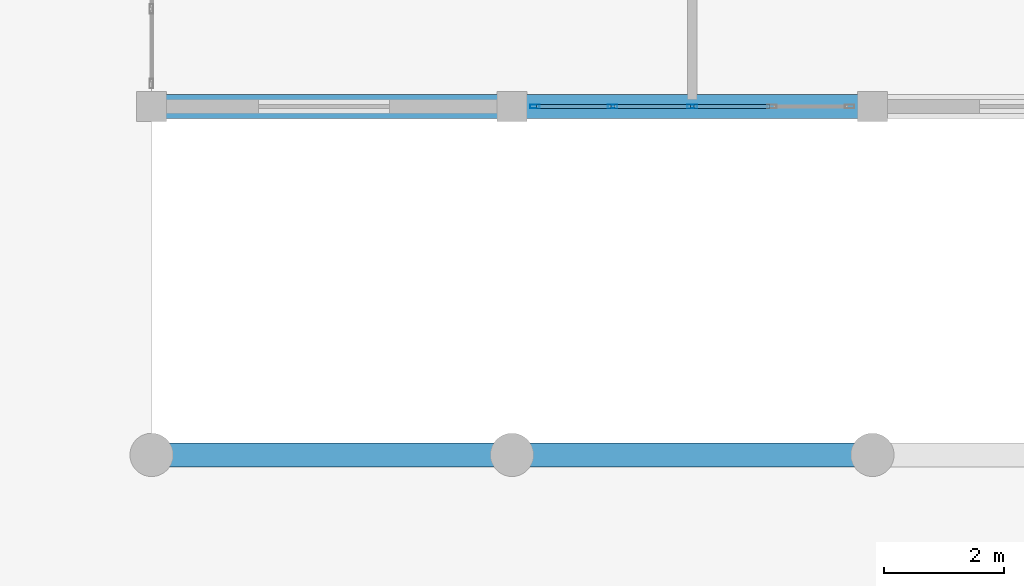
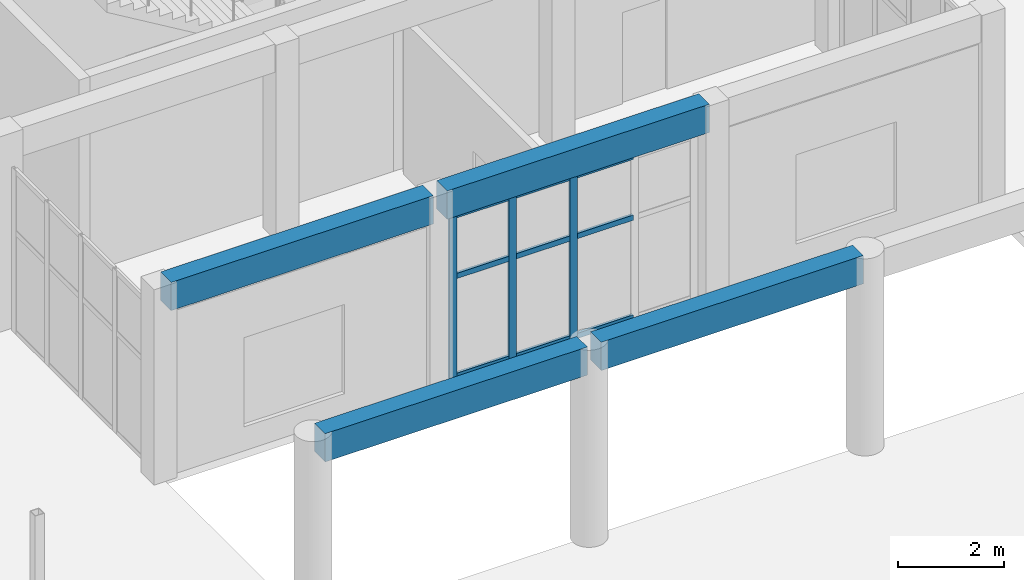
# One storey, part 21 of 132: 12 members, 4 beams, 1 element without a shape of its own.
"""IFC4 building model written with IfcOpenShell, lengths in metres."""

from ifc_helpers import new_model, si_unit, direction, frame, origin, origin_2d, place, context, subcontext, project, spatial, rectangle, hollow_rectangle, extrude, material, material_profile, profile_set, type_object, element, aggregate, save


model = new_model("IFC4")

# Units and contexts
model_context = context("Model", 3, precision=1e-05, world=origin(), true_north=direction((0.0, 1.0)))
body_context = subcontext(model_context, "Body", "Model", "MODEL_VIEW")
ifc_project = project(units=[si_unit("LENGTHUNIT", "METRE"), si_unit("AREAUNIT", "SQUARE_METRE"), si_unit("VOLUMEUNIT", "CUBIC_METRE"), si_unit("PLANEANGLEUNIT", "RADIAN"), si_unit("MASSUNIT", "GRAM", prefix="KILO")], contexts=[model_context])

# Site, building, storey
site_placement = place(None, origin())
site = spatial("IfcSite", under=ifc_project, at=site_placement, CompositionType="ELEMENT")
building_placement = place(site_placement, origin())
building = spatial("IfcBuilding", under=site, at=building_placement, Name="Tanwirah Colonnade Gardens", CompositionType="ELEMENT")
storey_placement = place(building_placement, origin())
storey = spatial("IfcBuildingStorey", under=building, at=storey_placement, Name="L00", CompositionType="ELEMENT", Elevation=0.0)

# Beams
ifc_material_1 = material(Name="Precast concrete C45/55", Category="concrete")
ifc_material_profile_1 = material_profile(ifc_material_1, rectangle(XDim=0.39990234375, YDim=0.64990234375, at=origin_2d()), Name="PC-BM 400x650")
ifc_profile_set_1 = profile_set([ifc_material_profile_1], Name="Precast concrete C45/55")
beam_type = type_object("IfcBeamType", Name="BM-PC400", PredefinedType="BEAM", material=ifc_profile_set_1)
for number, where, z_axis, x_axis, name in (
    (1, (102.14990234375, 10.800048828125, 4.205078125), (1.0, 0.0, 0.0), (0.0, 1.0, 0.0), "Boulevard Shops E L00 Beam 0.0"),
    (2, (108.14990234375, 10.800048828125, 4.205078125), (1.0, 0.0, 0.0), (0.0, 1.0, 0.0), "Boulevard Shops E L00 Beam 1.0"),
    (3, (102.14990234375, 16.60009765625, 4.1650390625), (1.0, 0.0, 0.0), (0.0, 1.0, 0.0), "Boulevard Shops E L00 Beam 0.1"),
    (4, (108.14990234375, 16.60009765625, 4.1650390625), (1.0, 0.0, 0.0), (0.0, 1.0, 0.0), "Boulevard Shops E L00 Beam 1.1"),
):
    element("IfcBeam", number, at=place(storey_placement, frame(where, z_axis=z_axis, x_axis=x_axis)), inside=storey, type_object=beam_type, Name=name, PredefinedType="BEAM", context=body_context, shape_type="SweptSolid", body=[
        extrude(rectangle(XDim=0.39990234375, YDim=0.64990234375, at=origin_2d()), origin(), (0.0, 0.0, 1.0), 5.7001953125),
    ])

# Curtain wall, members
ifc_material_2 = material(Name="Bronze-anodised aluminium and solar-control low-E glass", Category="aluminium")
curtain_wall_type = type_object("IfcCurtainWallType", Name="CW-SHP", PredefinedType="NOTDEFINED", material=ifc_material_2)
curtain_wall_placement = place(storey_placement, origin())
curtain_wall = element("IfcCurtainWall", 5, at=curtain_wall_placement, inside=storey, type_object=curtain_wall_type, Name="Curtain Wall CW-SHP-E-L00-S-1", PredefinedType="NOTDEFINED")
ifc_material_3 = material(Name="Bronze-anodised aluminium", Category="aluminium")
ifc_material_profile_2 = material_profile(ifc_material_3, hollow_rectangle(XDim=0.06005859375, YDim=0.159912109375, WallThickness=0.00390625, at=origin_2d()), Name="CW-MUL 60x160x4")
ifc_profile_set_2 = profile_set([ifc_material_profile_2], Name="Bronze-anodised aluminium")
member_type_1 = type_object("IfcMemberType", Name="CWM-60x160", PredefinedType="MULLION", material=ifc_profile_set_2)
member_1_placement = place(storey_placement, frame((108.3798828125, 16.60009765625, 0.0), z_axis=(0.0, 0.0, 1.0), x_axis=(0.0, 1.0, 0.0)))
member_1 = element("IfcMember", 6, at=member_1_placement, type_object=member_type_1, Name="CW-SHP mullion 1", PredefinedType="MULLION", context=body_context, shape_type="SweptSolid", body=[
    extrude(hollow_rectangle(XDim=0.06005859375, YDim=0.159912109375, WallThickness=0.00390625, at=origin_2d()), origin(), (0.0, 0.0, 1.0), 3.75),
])
member_2_placement = place(storey_placement, frame((109.675048828125, 16.60009765625, 0.0), z_axis=(0.0, 0.0, 1.0), x_axis=(0.0, 1.0, 0.0)))
member_2 = element("IfcMember", 7, at=member_2_placement, type_object=member_type_1, Name="CW-SHP mullion 2", PredefinedType="MULLION", context=body_context, shape_type="SweptSolid", body=[
    extrude(hollow_rectangle(XDim=0.06005859375, YDim=0.159912109375, WallThickness=0.00390625, at=origin_2d()), origin(), (0.0, 0.0, 1.0), 3.75),
])
member_3_placement = place(storey_placement, frame((111.0, 16.60009765625, 0.0), z_axis=(0.0, 0.0, 1.0), x_axis=(0.0, 1.0, 0.0)))
member_3 = element("IfcMember", 8, at=member_3_placement, type_object=member_type_1, Name="CW-SHP mullion 3", PredefinedType="MULLION", context=body_context, shape_type="SweptSolid", body=[
    extrude(hollow_rectangle(XDim=0.06005859375, YDim=0.159912109375, WallThickness=0.00390625, at=origin_2d()), origin(), (0.0, 0.0, 1.0), 3.75),
])
ifc_material_profile_3 = material_profile(ifc_material_3, hollow_rectangle(XDim=0.06005859375, YDim=0.1201171875, WallThickness=0.00390625, at=origin_2d()), Name="CW-TRN 60x120x4")
ifc_profile_set_3 = profile_set([ifc_material_profile_3], Name="Bronze-anodised aluminium")
member_type_2 = type_object("IfcMemberType", Name="CWT-60x120", PredefinedType="USERDEFINED", material=ifc_profile_set_3)
member_4_placement = place(storey_placement, frame((108.409912109375, 16.60009765625, 0.030029296875), z_axis=(1.0, 0.0, 0.0), x_axis=(0.0, 1.0, 0.0)))
member_4 = element("IfcMember", 9, at=member_4_placement, type_object=member_type_2, Name="CW-SHP transom 1.1", ObjectType="TRANSOM", PredefinedType="USERDEFINED", context=body_context, shape_type="SweptSolid", body=[
    extrude(hollow_rectangle(XDim=0.06005859375, YDim=0.1201171875, WallThickness=0.00390625, at=origin_2d()), origin(), (0.0, 0.0, 1.0), 1.235107421875),
])
member_5_placement = place(storey_placement, frame((108.409912109375, 16.60009765625, 2.324951171875), z_axis=(1.0, 0.0, 0.0), x_axis=(0.0, 1.0, 0.0)))
member_5 = element("IfcMember", 10, at=member_5_placement, type_object=member_type_2, Name="CW-SHP transom 1.2", ObjectType="TRANSOM", PredefinedType="USERDEFINED", context=body_context, shape_type="SweptSolid", body=[
    extrude(hollow_rectangle(XDim=0.06005859375, YDim=0.1201171875, WallThickness=0.00390625, at=origin_2d()), origin(), (0.0, 0.0, 1.0), 1.235107421875),
])
member_6_placement = place(storey_placement, frame((108.409912109375, 16.60009765625, 3.719970703125), z_axis=(1.0, 0.0, 0.0), x_axis=(0.0, 1.0, 0.0)))
member_6 = element("IfcMember", 11, at=member_6_placement, type_object=member_type_2, Name="CW-SHP transom 1.3", ObjectType="TRANSOM", PredefinedType="USERDEFINED", context=body_context, shape_type="SweptSolid", body=[
    extrude(hollow_rectangle(XDim=0.06005859375, YDim=0.1201171875, WallThickness=0.00390625, at=origin_2d()), origin(), (0.0, 0.0, 1.0), 1.235107421875),
])
member_7_placement = place(storey_placement, frame((109.705078125, 16.60009765625, 0.030029296875), z_axis=(1.0, 0.0, 0.0), x_axis=(0.0, 1.0, 0.0)))
member_7 = element("IfcMember", 12, at=member_7_placement, type_object=member_type_2, Name="CW-SHP transom 2.1", ObjectType="TRANSOM", PredefinedType="USERDEFINED", context=body_context, shape_type="SweptSolid", body=[
    extrude(hollow_rectangle(XDim=0.06005859375, YDim=0.1201171875, WallThickness=0.00390625, at=origin_2d()), origin(), (0.0, 0.0, 1.0), 1.264892578125),
])
member_8_placement = place(storey_placement, frame((109.705078125, 16.60009765625, 2.324951171875), z_axis=(1.0, 0.0, 0.0), x_axis=(0.0, 1.0, 0.0)))
member_8 = element("IfcMember", 13, at=member_8_placement, type_object=member_type_2, Name="CW-SHP transom 2.2", ObjectType="TRANSOM", PredefinedType="USERDEFINED", context=body_context, shape_type="SweptSolid", body=[
    extrude(hollow_rectangle(XDim=0.06005859375, YDim=0.1201171875, WallThickness=0.00390625, at=origin_2d()), origin(), (0.0, 0.0, 1.0), 1.264892578125),
])
member_9_placement = place(storey_placement, frame((109.705078125, 16.60009765625, 3.719970703125), z_axis=(1.0, 0.0, 0.0), x_axis=(0.0, 1.0, 0.0)))
member_9 = element("IfcMember", 14, at=member_9_placement, type_object=member_type_2, Name="CW-SHP transom 2.3", ObjectType="TRANSOM", PredefinedType="USERDEFINED", context=body_context, shape_type="SweptSolid", body=[
    extrude(hollow_rectangle(XDim=0.06005859375, YDim=0.1201171875, WallThickness=0.00390625, at=origin_2d()), origin(), (0.0, 0.0, 1.0), 1.264892578125),
])
member_10_placement = place(storey_placement, frame((111.030029296875, 16.60009765625, 0.030029296875), z_axis=(1.0, 0.0, 0.0), x_axis=(0.0, 1.0, 0.0)))
member_10 = element("IfcMember", 15, at=member_10_placement, type_object=member_type_2, Name="CW-SHP transom 3.1", ObjectType="TRANSOM", PredefinedType="USERDEFINED", context=body_context, shape_type="SweptSolid", body=[
    extrude(hollow_rectangle(XDim=0.06005859375, YDim=0.1201171875, WallThickness=0.00390625, at=origin_2d()), origin(), (0.0, 0.0, 1.0), 1.264892578125),
])
member_11_placement = place(storey_placement, frame((111.030029296875, 16.60009765625, 2.324951171875), z_axis=(1.0, 0.0, 0.0), x_axis=(0.0, 1.0, 0.0)))
member_11 = element("IfcMember", 16, at=member_11_placement, type_object=member_type_2, Name="CW-SHP transom 3.2", ObjectType="TRANSOM", PredefinedType="USERDEFINED", context=body_context, shape_type="SweptSolid", body=[
    extrude(hollow_rectangle(XDim=0.06005859375, YDim=0.1201171875, WallThickness=0.00390625, at=origin_2d()), origin(), (0.0, 0.0, 1.0), 1.264892578125),
])
member_12_placement = place(storey_placement, frame((111.030029296875, 16.60009765625, 3.719970703125), z_axis=(1.0, 0.0, 0.0), x_axis=(0.0, 1.0, 0.0)))
member_12 = element("IfcMember", 17, at=member_12_placement, type_object=member_type_2, Name="CW-SHP transom 3.3", ObjectType="TRANSOM", PredefinedType="USERDEFINED", context=body_context, shape_type="SweptSolid", body=[
    extrude(hollow_rectangle(XDim=0.06005859375, YDim=0.1201171875, WallThickness=0.00390625, at=origin_2d()), origin(), (0.0, 0.0, 1.0), 1.264892578125),
])
aggregate(curtain_wall, [member_1, member_2, member_3, member_4, member_5, member_6, member_7, member_8, member_9, member_10, member_11, member_12])

save(model, "model.ifc")
